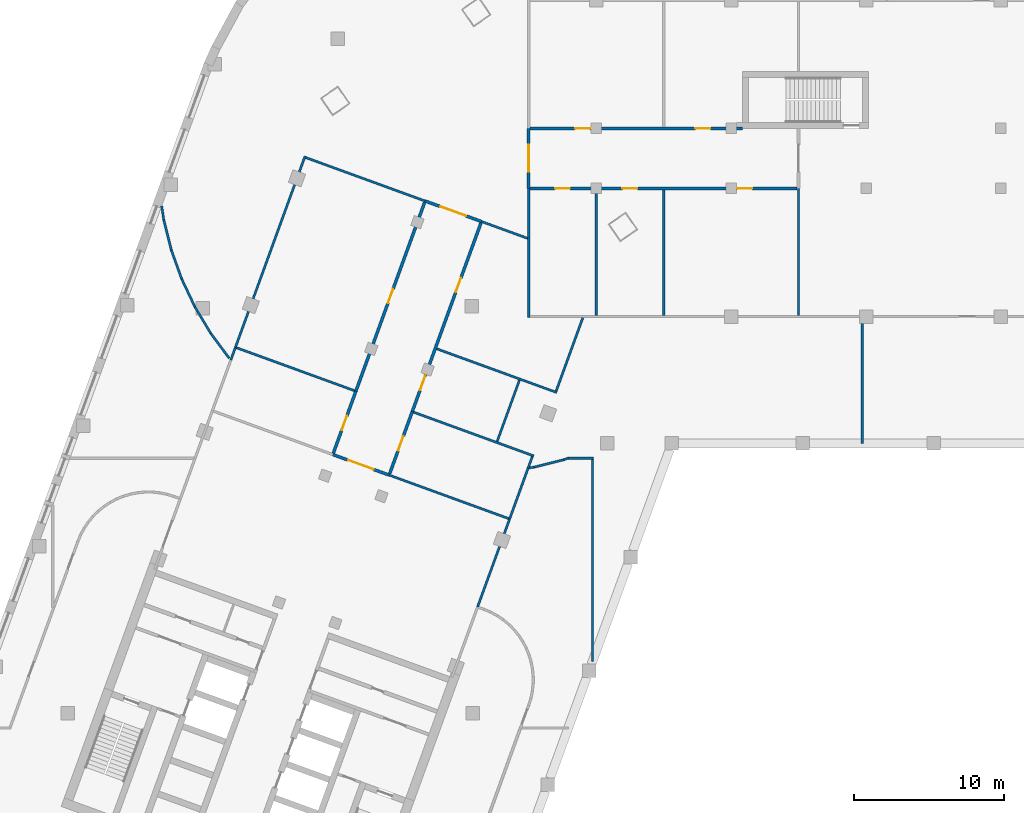
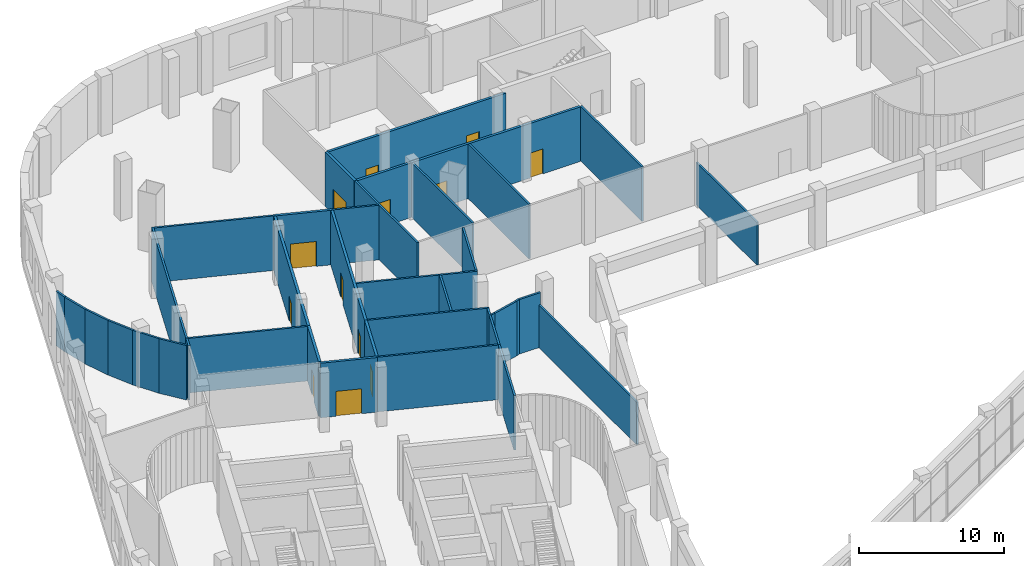
# One storey, part 13 of 25: 38 walls, 13 doors, 13 openings.
"""IFC4 building model written with IfcOpenShell, lengths in metres."""

from ifc_helpers import new_model, si_unit, direction, frame, frame_2d, origin, place, context, subcontext, project, spatial, rectangle, extrude, material, layer, layer_set, type_object, element, fill, save


model = new_model("IFC4")

# Units and contexts
model_context = context("Model", 3, precision=1e-05, world=origin(), true_north=direction((0.0, 1.0)))
body_context = subcontext(model_context, "Body", "Model", "MODEL_VIEW")
ifc_project = project(units=[si_unit("LENGTHUNIT", "METRE"), si_unit("AREAUNIT", "SQUARE_METRE"), si_unit("VOLUMEUNIT", "CUBIC_METRE"), si_unit("PLANEANGLEUNIT", "RADIAN"), si_unit("MASSUNIT", "GRAM", prefix="KILO")], contexts=[model_context])

# Site, building, storey
site_placement = place(None, origin())
site = spatial("IfcSite", under=ifc_project, at=site_placement, CompositionType="ELEMENT")
building_placement = place(site_placement, origin())
building = spatial("IfcBuilding", under=site, at=building_placement, Name="Skarvind Civic Tower", CompositionType="ELEMENT")
storey_placement = place(building_placement, frame((0.0, 0.0, 7.5)))
storey = spatial("IfcBuildingStorey", under=building, at=storey_placement, Name="L01", CompositionType="ELEMENT", Elevation=7.5)

# Wall, opening, door
ifc_material_1 = material(Name="Fire-rated blockwork wall, plastered", Category="masonry")
ifc_layer_1 = layer(ifc_material_1, 0.199951171875)
ifc_layer_set_1 = layer_set([ifc_layer_1], Name="FIRE WALL 200 EI 60")
wall_type_1 = type_object("IfcWallType", Name="FIRE WALL 200 EI 60", PredefinedType="PARTITIONING", material=ifc_layer_set_1)
wall_1_placement = place(storey_placement, frame((36.716064453125, 108.340087890625, 0.0), z_axis=(0.0, 0.0, 1.0), x_axis=(0.342063854115, 0.939676710208, 0.0)))
wall_1 = element("IfcWall", 1, at=wall_1_placement, inside=storey, type_object=wall_type_1, Name="Podium partition L01 042", PredefinedType="PARTITIONING", context=body_context, shape_type="SweptSolid", body=[
    extrude(rectangle(XDim=4.3994140625, YDim=0.199951171875, at=frame_2d((2.19970703125, 0.0))), origin(), (0.0, 0.0, 1.0), 4.60009765625),
])
opening_1_placement = place(wall_1_placement, frame((1.652099609375, 0.0, 0.0)))
opening_1 = element("IfcOpeningElement", 2, at=opening_1_placement, cuts=wall_1, Name="Opening L01-D205", PredefinedType="OPENING", context=body_context, shape_type="SweptSolid", body=[
    extrude(rectangle(XDim=1.0, YDim=2.10009765625, at=frame_2d((0.5, 1.050048828125))), frame((0.0, 0.10986328125, 0.0), z_axis=(0.0, -1.0, 0.0), x_axis=(1.0, 0.0, 0.0)), (0.0, 0.0, 1.0), 0.219970703125),
])
ifc_material_2 = material(Name="Painted steel fire door leaf", Category="steel")
door_type_1 = type_object("IfcDoorType", Name="FIRE DOOR 1000X2100 STEEL", OperationType="NOTDEFINED", PredefinedType="DOOR", material=ifc_material_2)
door_1_placement = place(opening_1_placement, origin())
door_1 = element("IfcDoor", 3, at=door_1_placement, inside=storey, type_object=door_type_1, Name="FIRE DOOR", OperationType="SINGLE_SWING_LEFT", OverallHeight=2.10009765625, OverallWidth=1.0, PredefinedType="DOOR", context=body_context, shape_type="SweptSolid", body=[
    extrude(rectangle(XDim=1.0, YDim=2.10009765625, at=frame_2d((0.5, 1.050048828125))), frame((0.0, 0.02490234375, 0.0), z_axis=(0.0, -1.0, 0.0), x_axis=(1.0, 0.0, 0.0)), (0.0, 0.0, 1.0), 0.050048828125),
])
fill(opening_1, door_1)

wall_2_placement = place(storey_placement, frame((40.43994140625, 106.8779296875, 0.0), z_axis=(0.0, 0.0, 1.0), x_axis=(-0.939665029144, 0.342095941228, 0.0)))
wall_2 = element("IfcWall", 4, at=wall_2_placement, inside=storey, type_object=wall_type_1, Name="Podium partition L01 043", PredefinedType="PARTITIONING", context=body_context, shape_type="SweptSolid", body=[
    extrude(rectangle(XDim=3.999267578125, YDim=0.199951171875, at=frame_2d((1.99951171875, 0.0))), origin(), (0.0, 0.0, 1.0), 4.60009765625),
])
opening_2_placement = place(wall_2_placement, frame((1.09912109375, 0.0, 0.0)))
opening_2 = element("IfcOpeningElement", 5, at=opening_2_placement, cuts=wall_2, Name="Opening L01-D206", PredefinedType="OPENING", context=body_context, shape_type="SweptSolid", body=[
    extrude(rectangle(XDim=1.800048828125, YDim=2.10009765625, at=frame_2d((0.89990234375, 1.050048828125))), frame((0.0, 0.10986328125, 0.0), z_axis=(0.0, -1.0, 0.0), x_axis=(1.0, 0.0, 0.0)), (0.0, 0.0, 1.0), 0.219970703125),
])
door_type_2 = type_object("IfcDoorType", Name="FIRE DOOR 1800X2100 DOUBLE STEEL", OperationType="NOTDEFINED", PredefinedType="DOOR", material=ifc_material_2)
door_2_placement = place(opening_2_placement, origin())
door_2 = element("IfcDoor", 6, at=door_2_placement, inside=storey, type_object=door_type_2, Name="FIRE DOOR", OperationType="DOUBLE_DOOR_SINGLE_SWING", OverallHeight=2.10009765625, OverallWidth=1.800048828125, PredefinedType="DOOR", context=body_context, shape_type="SweptSolid", body=[
    extrude(rectangle(XDim=1.800048828125, YDim=2.10009765625, at=frame_2d((0.89990234375, 1.050048828125))), frame((0.0, 0.02490234375, 0.0), z_axis=(0.0, -1.0, 0.0), x_axis=(1.0, 0.0, 0.0)), (0.0, 0.0, 1.0), 0.050048828125),
])
fill(opening_2, door_2)

wall_3_placement = place(storey_placement, frame((38.220947265625, 112.47412109375, 0.0), z_axis=(0.0, 0.0, 1.0), x_axis=(0.342018071111, 0.939693375008, 0.0)))
wall_3 = element("IfcWall", 7, at=wall_3_placement, inside=storey, type_object=wall_type_1, Name="Podium partition L01 046", PredefinedType="PARTITIONING", context=body_context, shape_type="SweptSolid", body=[
    extrude(rectangle(XDim=13.39990234375, YDim=0.199951171875, at=frame_2d((6.699951171875, 0.0))), origin(), (0.0, 0.0, 1.0), 4.60009765625),
])
opening_3_placement = place(wall_3_placement, frame((6.248046875, 0.0, 0.0)))
opening_3 = element("IfcOpeningElement", 8, at=opening_3_placement, cuts=wall_3, Name="Opening L01-D207", PredefinedType="OPENING", context=body_context, shape_type="SweptSolid", body=[
    extrude(rectangle(XDim=1.0, YDim=2.10009765625, at=frame_2d((0.5, 1.050048828125))), frame((0.0, 0.10986328125, 0.0), z_axis=(0.0, -1.0, 0.0), x_axis=(1.0, 0.0, 0.0)), (0.0, 0.0, 1.0), 0.219970703125),
])
door_3_placement = place(opening_3_placement, origin())
door_3 = element("IfcDoor", 9, at=door_3_placement, inside=storey, type_object=door_type_1, Name="FIRE DOOR", OperationType="SINGLE_SWING_RIGHT", OverallHeight=2.10009765625, OverallWidth=1.0, PredefinedType="DOOR", context=body_context, shape_type="SweptSolid", body=[
    extrude(rectangle(XDim=1.0, YDim=2.10009765625, at=frame_2d((0.5, 1.050048828125))), frame((0.0, 0.02490234375, 0.0), z_axis=(0.0, -1.0, 0.0), x_axis=(1.0, 0.0, 0.0)), (0.0, 0.0, 1.0), 0.050048828125),
])
fill(opening_3, door_3)

wall_4_placement = place(storey_placement, frame((41.97998046875, 111.10595703125, 0.0), z_axis=(0.0, 0.0, 1.0), x_axis=(-0.342259834227, -0.93960534581, 0.0)))
wall_4 = element("IfcWall", 10, at=wall_4_placement, inside=storey, type_object=wall_type_1, Name="Podium partition L01 052", PredefinedType="PARTITIONING", context=body_context, shape_type="SweptSolid", body=[
    extrude(rectangle(XDim=4.399658203125, YDim=0.199951171875, at=frame_2d((2.19970703125, 0.0))), origin(), (0.0, 0.0, 1.0), 4.60009765625),
])
opening_4_placement = place(wall_4_placement, frame((1.748046875, 0.0, 0.0)))
opening_4 = element("IfcOpeningElement", 11, at=opening_4_placement, cuts=wall_4, Name="Opening L01-D208", PredefinedType="OPENING", context=body_context, shape_type="SweptSolid", body=[
    extrude(rectangle(XDim=1.0, YDim=2.10009765625, at=frame_2d((0.5, 1.050048828125))), frame((0.0, 0.10986328125, 0.0), z_axis=(0.0, -1.0, 0.0), x_axis=(1.0, 0.0, 0.0)), (0.0, 0.0, 1.0), 0.219970703125),
])
door_4_placement = place(opening_4_placement, origin())
door_4 = element("IfcDoor", 12, at=door_4_placement, inside=storey, type_object=door_type_1, Name="FIRE DOOR", OperationType="SINGLE_SWING_RIGHT", OverallHeight=2.10009765625, OverallWidth=1.0, PredefinedType="DOOR", context=body_context, shape_type="SweptSolid", body=[
    extrude(rectangle(XDim=1.0, YDim=2.10009765625, at=frame_2d((0.5, 1.050048828125))), frame((0.0, 0.02490234375, 0.0), z_axis=(0.0, -1.0, 0.0), x_axis=(1.0, 0.0, 0.0)), (0.0, 0.0, 1.0), 0.050048828125),
])
fill(opening_4, door_4)

# Wall, openings, doors
wall_5_placement = place(storey_placement, frame((46.56298828125, 123.697998046875, 0.0), z_axis=(0.0, 0.0, 1.0), x_axis=(-0.342012215574, -0.939695506214, 0.0)))
wall_5 = element("IfcWall", 13, at=wall_5_placement, inside=storey, type_object=wall_type_1, Name="Podium partition L01 057", PredefinedType="PARTITIONING", context=body_context, shape_type="SweptSolid", body=[
    extrude(rectangle(XDim=13.400146484375, YDim=0.199951171875, at=frame_2d((6.7001953125, 0.0))), origin(), (0.0, 0.0, 1.0), 4.60009765625),
])
opening_5_placement = place(wall_5_placement, frame((10.85009765625, 0.0, 0.0)))
opening_5 = element("IfcOpeningElement", 14, at=opening_5_placement, cuts=wall_5, Name="Opening L01-D209", PredefinedType="OPENING", context=body_context, shape_type="SweptSolid", body=[
    extrude(rectangle(XDim=1.0, YDim=2.10009765625, at=frame_2d((0.5, 1.050048828125))), frame((0.0, 0.10986328125, 0.0), z_axis=(0.0, -1.0, 0.0), x_axis=(1.0, 0.0, 0.0)), (0.0, 0.0, 1.0), 0.219970703125),
])
opening_6_placement = place(wall_5_placement, frame((3.902099609375, 0.0, 0.0)))
opening_6 = element("IfcOpeningElement", 15, at=opening_6_placement, cuts=wall_5, Name="Opening L01-D211", PredefinedType="OPENING", context=body_context, shape_type="SweptSolid", body=[
    extrude(rectangle(XDim=1.0, YDim=2.10009765625, at=frame_2d((0.5, 1.050048828125))), frame((0.0, 0.10986328125, 0.0), z_axis=(0.0, -1.0, 0.0), x_axis=(1.0, 0.0, 0.0)), (0.0, 0.0, 1.0), 0.219970703125),
])
door_5_placement = place(opening_5_placement, origin())
door_5 = element("IfcDoor", 16, at=door_5_placement, inside=storey, type_object=door_type_1, Name="FIRE DOOR", OperationType="SINGLE_SWING_RIGHT", OverallHeight=2.10009765625, OverallWidth=1.0, PredefinedType="DOOR", context=body_context, shape_type="SweptSolid", body=[
    extrude(rectangle(XDim=1.0, YDim=2.10009765625, at=frame_2d((0.5, 1.050048828125))), frame((0.0, 0.02490234375, 0.0), z_axis=(0.0, -1.0, 0.0), x_axis=(1.0, 0.0, 0.0)), (0.0, 0.0, 1.0), 0.050048828125),
])
fill(opening_5, door_5)
door_6_placement = place(opening_6_placement, origin())
door_6 = element("IfcDoor", 17, at=door_6_placement, inside=storey, type_object=door_type_1, Name="FIRE DOOR", OperationType="SINGLE_SWING_RIGHT", OverallHeight=2.10009765625, OverallWidth=1.0, PredefinedType="DOOR", context=body_context, shape_type="SweptSolid", body=[
    extrude(rectangle(XDim=1.0, YDim=2.10009765625, at=frame_2d((0.5, 1.050048828125))), frame((0.0, 0.02490234375, 0.0), z_axis=(0.0, -1.0, 0.0), x_axis=(1.0, 0.0, 0.0)), (0.0, 0.0, 1.0), 0.050048828125),
])
fill(opening_6, door_6)

# Wall, opening, door
wall_6_placement = place(storey_placement, frame((42.837890625, 125.159912109375, 0.0), z_axis=(0.0, 0.0, 1.0), x_axis=(0.939713209288, -0.341963571582, 0.0)))
wall_6 = element("IfcWall", 18, at=wall_6_placement, inside=storey, type_object=wall_type_1, Name="Podium partition L01 061", PredefinedType="PARTITIONING", context=body_context, shape_type="SweptSolid", body=[
    extrude(rectangle(XDim=4.000244140625, YDim=0.199951171875, at=frame_2d((2.0, 0.0))), origin(), (0.0, 0.0, 1.0), 4.60009765625),
])
opening_7_placement = place(wall_6_placement, frame((1.10009765625, 0.0, 0.0)))
opening_7 = element("IfcOpeningElement", 19, at=opening_7_placement, cuts=wall_6, Name="Opening L01-D210", PredefinedType="OPENING", context=body_context, shape_type="SweptSolid", body=[
    extrude(rectangle(XDim=1.800048828125, YDim=2.10009765625, at=frame_2d((0.89990234375, 1.050048828125))), frame((0.0, 0.10986328125, 0.0), z_axis=(0.0, -1.0, 0.0), x_axis=(1.0, 0.0, 0.0)), (0.0, 0.0, 1.0), 0.219970703125),
])
door_7_placement = place(opening_7_placement, origin())
door_7 = element("IfcDoor", 20, at=door_7_placement, inside=storey, type_object=door_type_2, Name="FIRE DOOR", OperationType="DOUBLE_DOOR_SINGLE_SWING", OverallHeight=2.10009765625, OverallWidth=1.800048828125, PredefinedType="DOOR", context=body_context, shape_type="SweptSolid", body=[
    extrude(rectangle(XDim=1.800048828125, YDim=2.10009765625, at=frame_2d((0.89990234375, 1.050048828125))), frame((0.0, 0.02490234375, 0.0), z_axis=(0.0, -1.0, 0.0), x_axis=(1.0, 0.0, 0.0)), (0.0, 0.0, 1.0), 0.050048828125),
])
fill(opening_7, door_7)

wall_7_placement = place(storey_placement, frame((49.75, 126.0, 0.0), z_axis=(0.0, 0.0, 1.0), x_axis=(0.0, 1.0, 0.0)))
wall_7 = element("IfcWall", 21, at=wall_7_placement, inside=storey, type_object=wall_type_1, Name="Podium partition L01 090", PredefinedType="PARTITIONING", context=body_context, shape_type="SweptSolid", body=[
    extrude(rectangle(XDim=4.0, YDim=0.199951171875, at=frame_2d((2.0, 0.0))), origin(), (0.0, 0.0, 1.0), 4.60009765625),
])
opening_8_placement = place(wall_7_placement, frame((1.10009765625, 0.0, 0.0)))
opening_8 = element("IfcOpeningElement", 22, at=opening_8_placement, cuts=wall_7, Name="Opening L01-D214", PredefinedType="OPENING", context=body_context, shape_type="SweptSolid", body=[
    extrude(rectangle(XDim=1.800048828125, YDim=2.10009765625, at=frame_2d((0.89990234375, 1.050048828125))), frame((0.0, 0.10986328125, 0.0), z_axis=(0.0, -1.0, 0.0), x_axis=(1.0, 0.0, 0.0)), (0.0, 0.0, 1.0), 0.219970703125),
])
door_8_placement = place(opening_8_placement, origin())
door_8 = element("IfcDoor", 23, at=door_8_placement, inside=storey, type_object=door_type_2, Name="FIRE DOOR", OperationType="DOUBLE_DOOR_SINGLE_SWING", OverallHeight=2.10009765625, OverallWidth=1.800048828125, PredefinedType="DOOR", context=body_context, shape_type="SweptSolid", body=[
    extrude(rectangle(XDim=1.800048828125, YDim=2.10009765625, at=frame_2d((0.89990234375, 1.050048828125))), frame((0.0, 0.02490234375, 0.0), z_axis=(0.0, -1.0, 0.0), x_axis=(1.0, 0.0, 0.0)), (0.0, 0.0, 1.0), 0.050048828125),
])
fill(opening_8, door_8)

# Wall, openings, doors
wall_8_placement = place(storey_placement, frame((67.64990234375, 126.0, 0.0), z_axis=(0.0, 0.0, 1.0), x_axis=(-1.0, 0.0, 0.0)))
wall_8 = element("IfcWall", 24, at=wall_8_placement, inside=storey, type_object=wall_type_1, Name="Podium partition L01 091", PredefinedType="PARTITIONING", context=body_context, shape_type="SweptSolid", body=[
    extrude(rectangle(XDim=17.7998046875, YDim=0.199951171875, at=frame_2d((8.89990234375, 0.0))), origin(), (0.0, 0.0, 1.0), 4.60009765625),
])
opening_9_placement = place(wall_8_placement, frame((15.14794921875, 0.0, 0.0)))
opening_9 = element("IfcOpeningElement", 25, at=opening_9_placement, cuts=wall_8, Name="Opening L01-D215", PredefinedType="OPENING", context=body_context, shape_type="SweptSolid", body=[
    extrude(rectangle(XDim=1.0, YDim=2.10009765625, at=frame_2d((0.5, 1.050048828125))), frame((0.0, 0.10986328125, 0.0), z_axis=(0.0, -1.0, 0.0), x_axis=(1.0, 0.0, 0.0)), (0.0, 0.0, 1.0), 0.219970703125),
])
opening_10_placement = place(wall_8_placement, frame((10.64990234375, 0.0, 0.0)))
opening_10 = element("IfcOpeningElement", 26, at=opening_10_placement, cuts=wall_8, Name="Opening L01-D217", PredefinedType="OPENING", context=body_context, shape_type="SweptSolid", body=[
    extrude(rectangle(XDim=1.0, YDim=2.10009765625, at=frame_2d((0.5, 1.050048828125))), frame((0.0, 0.10986328125, 0.0), z_axis=(0.0, -1.0, 0.0), x_axis=(1.0, 0.0, 0.0)), (0.0, 0.0, 1.0), 0.219970703125),
])
opening_11_placement = place(wall_8_placement, frame((3.001953125, 0.0, 0.0)))
opening_11 = element("IfcOpeningElement", 27, at=opening_11_placement, cuts=wall_8, Name="Opening L01-D219", PredefinedType="OPENING", context=body_context, shape_type="SweptSolid", body=[
    extrude(rectangle(XDim=1.0, YDim=2.10009765625, at=frame_2d((0.5, 1.050048828125))), frame((0.0, 0.10986328125, 0.0), z_axis=(0.0, -1.0, 0.0), x_axis=(1.0, 0.0, 0.0)), (0.0, 0.0, 1.0), 0.219970703125),
])
door_9_placement = place(opening_9_placement, origin())
door_9 = element("IfcDoor", 28, at=door_9_placement, inside=storey, type_object=door_type_1, Name="FIRE DOOR", OperationType="SINGLE_SWING_LEFT", OverallHeight=2.10009765625, OverallWidth=1.0, PredefinedType="DOOR", context=body_context, shape_type="SweptSolid", body=[
    extrude(rectangle(XDim=1.0, YDim=2.10009765625, at=frame_2d((0.5, 1.050048828125))), frame((0.0, 0.02490234375, 0.0), z_axis=(0.0, -1.0, 0.0), x_axis=(1.0, 0.0, 0.0)), (0.0, 0.0, 1.0), 0.050048828125),
])
fill(opening_9, door_9)
door_10_placement = place(opening_10_placement, origin())
door_10 = element("IfcDoor", 29, at=door_10_placement, inside=storey, type_object=door_type_1, Name="FIRE DOOR", OperationType="SINGLE_SWING_RIGHT", OverallHeight=2.10009765625, OverallWidth=1.0, PredefinedType="DOOR", context=body_context, shape_type="SweptSolid", body=[
    extrude(rectangle(XDim=1.0, YDim=2.10009765625, at=frame_2d((0.5, 1.050048828125))), frame((0.0, 0.02490234375, 0.0), z_axis=(0.0, -1.0, 0.0), x_axis=(1.0, 0.0, 0.0)), (0.0, 0.0, 1.0), 0.050048828125),
])
fill(opening_10, door_10)
door_11_placement = place(opening_11_placement, origin())
door_11 = element("IfcDoor", 30, at=door_11_placement, inside=storey, type_object=door_type_1, Name="FIRE DOOR", OperationType="SINGLE_SWING_LEFT", OverallHeight=2.10009765625, OverallWidth=1.0, PredefinedType="DOOR", context=body_context, shape_type="SweptSolid", body=[
    extrude(rectangle(XDim=1.0, YDim=2.10009765625, at=frame_2d((0.5, 1.050048828125))), frame((0.0, 0.02490234375, 0.0), z_axis=(0.0, -1.0, 0.0), x_axis=(1.0, 0.0, 0.0)), (0.0, 0.0, 1.0), 0.050048828125),
])
fill(opening_11, door_11)

wall_9_placement = place(storey_placement, frame((49.85009765625, 130.0, 0.0), z_axis=(0.0, 0.0, 1.0), x_axis=(1.0, 0.0, 0.0)))
wall_9 = element("IfcWall", 31, at=wall_9_placement, inside=storey, type_object=wall_type_1, Name="Podium partition L01 093", PredefinedType="PARTITIONING", context=body_context, shape_type="SweptSolid", body=[
    extrude(rectangle(XDim=14.14990234375, YDim=0.199951171875, at=frame_2d((7.074951171875, 0.0))), origin(), (0.0, 0.0, 1.0), 4.60009765625),
])
opening_12_placement = place(wall_9_placement, frame((3.001953125, 0.0, 0.0)))
opening_12 = element("IfcOpeningElement", 32, at=opening_12_placement, cuts=wall_9, Name="Opening L01-D216", PredefinedType="OPENING", context=body_context, shape_type="SweptSolid", body=[
    extrude(rectangle(XDim=1.0, YDim=2.10009765625, at=frame_2d((0.5, 1.050048828125))), frame((0.0, 0.10986328125, 0.0), z_axis=(0.0, -1.0, 0.0), x_axis=(1.0, 0.0, 0.0)), (0.0, 0.0, 1.0), 0.219970703125),
])
opening_13_placement = place(wall_9_placement, frame((11.02294921875, 0.0, 0.0)))
opening_13 = element("IfcOpeningElement", 33, at=opening_13_placement, cuts=wall_9, Name="Opening L01-D218", PredefinedType="OPENING", context=body_context, shape_type="SweptSolid", body=[
    extrude(rectangle(XDim=1.0, YDim=2.10009765625, at=frame_2d((0.5, 1.050048828125))), frame((0.0, 0.10986328125, 0.0), z_axis=(0.0, -1.0, 0.0), x_axis=(1.0, 0.0, 0.0)), (0.0, 0.0, 1.0), 0.219970703125),
])
door_12_placement = place(opening_12_placement, origin())
door_12 = element("IfcDoor", 34, at=door_12_placement, inside=storey, type_object=door_type_1, Name="FIRE DOOR", OperationType="SINGLE_SWING_LEFT", OverallHeight=2.10009765625, OverallWidth=1.0, PredefinedType="DOOR", context=body_context, shape_type="SweptSolid", body=[
    extrude(rectangle(XDim=1.0, YDim=2.10009765625, at=frame_2d((0.5, 1.050048828125))), frame((0.0, 0.02490234375, 0.0), z_axis=(0.0, -1.0, 0.0), x_axis=(1.0, 0.0, 0.0)), (0.0, 0.0, 1.0), 0.050048828125),
])
fill(opening_12, door_12)
door_13_placement = place(opening_13_placement, origin())
door_13 = element("IfcDoor", 35, at=door_13_placement, inside=storey, type_object=door_type_1, Name="FIRE DOOR", OperationType="SINGLE_SWING_LEFT", OverallHeight=2.10009765625, OverallWidth=1.0, PredefinedType="DOOR", context=body_context, shape_type="SweptSolid", body=[
    extrude(rectangle(XDim=1.0, YDim=2.10009765625, at=frame_2d((0.5, 1.050048828125))), frame((0.0, 0.02490234375, 0.0), z_axis=(0.0, -1.0, 0.0), x_axis=(1.0, 0.0, 0.0)), (0.0, 0.0, 1.0), 0.050048828125),
])
fill(opening_13, door_13)

# Walls
ifc_material_3 = material(Name="Plasterboard partition on steel studs", Category="steel")
ifc_layer_2 = layer(ifc_material_3, 0.14990234375)
ifc_layer_set_2 = layer_set([ifc_layer_2], Name="PARTITION 150")
wall_type_2 = type_object("IfcWallType", Name="PARTITION 150", PredefinedType="PARTITIONING", material=ifc_layer_set_2)
wall_10_placement = place(storey_placement, frame((25.26611328125, 124.8310546875, 0.0), z_axis=(0.0, 0.0, 1.0), x_axis=(0.147402970256, -0.989076520983, 0.0)))
element("IfcWall", 36, at=wall_10_placement, inside=storey, type_object=wall_type_2, Name="Podium partition L01 023", PredefinedType="PARTITIONING", context=body_context, shape_type="SweptSolid", body=[
    extrude(rectangle(XDim=0.9423828125, YDim=0.14990234375, at=frame_2d((0.47119140625, 0.0))), origin(), (0.0, 0.0, 1.0), 4.60009765625),
])
wall_11_placement = place(storey_placement, frame((25.403076171875, 123.906982421875, 0.0), z_axis=(0.0, 0.0, 1.0), x_axis=(0.24261892201, -0.970121672102, 0.0)))
element("IfcWall", 37, at=wall_11_placement, inside=storey, type_object=wall_type_2, Name="Podium partition L01 024", PredefinedType="PARTITIONING", context=body_context, shape_type="SweptSolid", body=[
    extrude(rectangle(XDim=2.06884765625, YDim=0.14990234375, at=frame_2d((1.034423828125, 0.0))), origin(), (0.0, 0.0, 1.0), 4.60009765625),
])
wall_12_placement = place(storey_placement, frame((25.903076171875, 121.906982421875, 0.0), z_axis=(0.0, 0.0, 1.0), x_axis=(0.337196677173, -0.941434225479, 0.0)))
element("IfcWall", 38, at=wall_12_placement, inside=storey, type_object=wall_type_2, Name="Podium partition L01 026", PredefinedType="PARTITIONING", context=body_context, shape_type="SweptSolid", body=[
    extrude(rectangle(XDim=2.067138671875, YDim=0.14990234375, at=frame_2d((1.03369140625, 0.0))), origin(), (0.0, 0.0, 1.0), 4.60009765625),
])
for number, where, z_axis, x_axis, name in (
    (39, (26.596923828125, 119.967041015625, 0.0), (0.0, 0.0, 1.0), (0.42793917446, -0.90380753646, 0.0), "Podium partition L01 029"),
    (40, (27.47802734375, 118.10400390625, 0.0), (0.0, 0.0, 1.0), (0.514009565734, -0.857784452141, 0.0), "Podium partition L01 030"),
):
    element("IfcWall", number, at=place(storey_placement, frame(where, z_axis=z_axis, x_axis=x_axis)), inside=storey, type_object=wall_type_2, Name=name, PredefinedType="PARTITIONING", context=body_context, shape_type="SweptSolid", body=[
        extrude(rectangle(XDim=2.068115234375, YDim=0.14990234375, at=frame_2d((1.0341796875, 0.0))), origin(), (0.0, 0.0, 1.0), 4.60009765625),
    ])
wall_13_placement = place(storey_placement, frame((28.537109375, 116.3359375, 0.0), z_axis=(0.0, 0.0, 1.0), x_axis=(0.595741297031, -0.80317638599, 0.0)))
element("IfcWall", 41, at=wall_13_placement, inside=storey, type_object=wall_type_2, Name="Podium partition L01 032", PredefinedType="PARTITIONING", context=body_context, shape_type="SweptSolid", body=[
    extrude(rectangle(XDim=2.06787109375, YDim=0.14990234375, at=frame_2d((1.033935546875, 0.0))), origin(), (0.0, 0.0, 1.0), 4.60009765625),
])
wall_14_placement = place(storey_placement, frame((29.87890625, 114.554931640625, 0.0), z_axis=(0.0, 0.0, 1.0), x_axis=(0.341961311006, 0.939714031914, 0.0)))
element("IfcWall", 42, at=wall_14_placement, inside=storey, type_object=wall_type_2, Name="Podium partition L01 036", PredefinedType="PARTITIONING", context=body_context, shape_type="SweptSolid", body=[
    extrude(rectangle(XDim=0.898193359375, YDim=0.14990234375, at=frame_2d((0.44921875, 0.0))), origin(), (0.0, 0.0, 1.0), 4.60009765625),
])
wall_15_placement = place(storey_placement, frame((30.18603515625, 115.39892578125, 0.0), z_axis=(0.0, 0.0, 1.0), x_axis=(0.342121388632, 0.939655764331, 0.0)))
element("IfcWall", 43, at=wall_15_placement, inside=storey, type_object=wall_type_2, Name="Podium partition L01 037", PredefinedType="PARTITIONING", context=body_context, shape_type="SweptSolid", body=[
    extrude(rectangle(XDim=13.57421875, YDim=0.14990234375, at=frame_2d((6.787109375, 0.0))), origin(), (0.0, 0.0, 1.0), 4.60009765625),
])
wall_16_placement = place(storey_placement, frame((30.256103515625, 115.373046875, 0.0), z_axis=(0.0, 0.0, 1.0), x_axis=(0.939683593483, -0.342044944618, 0.0)))
element("IfcWall", 44, at=wall_16_placement, inside=storey, type_object=wall_type_2, Name="Podium partition L01 038", PredefinedType="PARTITIONING", context=body_context, shape_type="SweptSolid", body=[
    extrude(rectangle(XDim=8.3759765625, YDim=0.14990234375, at=frame_2d((4.18798828125, 0.0))), origin(), (0.0, 0.0, 1.0), 4.60009765625),
])
wall_17_placement = place(storey_placement, frame((34.8740234375, 128.05810546875, 0.0), z_axis=(0.0, 0.0, 1.0), x_axis=(0.939708443164, -0.341976668571, 0.0)))
element("IfcWall", 45, at=wall_17_placement, inside=storey, type_object=wall_type_2, Name="Podium partition L01 040", PredefinedType="PARTITIONING", context=body_context, shape_type="SweptSolid", body=[
    extrude(rectangle(XDim=8.474853515625, YDim=0.14990234375, at=frame_2d((4.2373046875, 0.0))), origin(), (0.0, 0.0, 1.0), 4.60009765625),
])
wall_18_placement = place(storey_placement, frame((40.43994140625, 106.8779296875, 0.0), z_axis=(0.0, 0.0, 1.0), x_axis=(0.939697516706, -0.342006691597, 0.0)))
element("IfcWall", 46, at=wall_18_placement, inside=storey, type_object=wall_type_2, Name="Podium partition L01 053", PredefinedType="PARTITIONING", context=body_context, shape_type="SweptSolid", body=[
    extrude(rectangle(XDim=8.476318359375, YDim=0.14990234375, at=frame_2d((4.23828125, 0.0))), origin(), (0.0, 0.0, 1.0), 4.60009765625),
])
for number, where, z_axis, x_axis, name in (
    (47, (42.073974609375, 111.072021484375, 0.0), (0.0, 0.0, 1.0), (0.939669601, -0.342083383046, 0.0), "Podium partition L01 058"),
    (48, (43.613037109375, 115.301025390625, 0.0), (0.0, 0.0, 1.0), (0.939669601, -0.342083383046, 0.0), "Podium partition L01 065"),
):
    element("IfcWall", number, at=place(storey_placement, frame(where, z_axis=z_axis, x_axis=x_axis)), inside=storey, type_object=wall_type_2, Name=name, PredefinedType="PARTITIONING", context=body_context, shape_type="SweptSolid", body=[
        extrude(rectangle(XDim=8.524169921875, YDim=0.14990234375, at=frame_2d((4.26220703125, 0.0))), origin(), (0.0, 0.0, 1.0), 4.60009765625),
    ])
wall_19_placement = place(storey_placement, frame((46.3369140625, 98.080078125, 0.0), z_axis=(0.0, 0.0, 1.0), x_axis=(0.342113136459, 0.939658768842, 0.0)))
element("IfcWall", 49, at=wall_19_placement, inside=storey, type_object=wall_type_2, Name="Podium partition L01 070", PredefinedType="PARTITIONING", context=body_context, shape_type="SweptSolid", body=[
    extrude(rectangle(XDim=6.25, YDim=0.14990234375, at=frame_2d((3.125, 0.0))), origin(), (0.0, 0.0, 1.0), 4.60009765625),
])
wall_20_placement = place(storey_placement, frame((46.596923828125, 123.7919921875, 0.0), z_axis=(0.0, 0.0, 1.0), x_axis=(0.939619227089, -0.342221723572, 0.0)))
element("IfcWall", 50, at=wall_20_placement, inside=storey, type_object=wall_type_2, Name="Podium partition L01 071", PredefinedType="PARTITIONING", context=body_context, shape_type="SweptSolid", body=[
    extrude(rectangle(XDim=3.27587890625, YDim=0.14990234375, at=frame_2d((1.637939453125, 0.0))), origin(), (0.0, 0.0, 1.0), 4.60009765625),
])
wall_21_placement = place(storey_placement, frame((47.64404296875, 109.1240234375, 0.0), z_axis=(0.0, 0.0, 1.0), x_axis=(0.341783611499, 0.939778677621, 0.0)))
element("IfcWall", 51, at=wall_21_placement, inside=storey, type_object=wall_type_2, Name="Podium partition L01 074", PredefinedType="PARTITIONING", context=body_context, shape_type="SweptSolid", body=[
    extrude(rectangle(XDim=4.350830078125, YDim=0.14990234375, at=frame_2d((2.17529296875, 0.0))), origin(), (0.0, 0.0, 1.0), 4.60009765625),
])
wall_22_placement = place(storey_placement, frame((48.47509765625, 103.952880859375, 0.0), z_axis=(0.0, 0.0, 1.0), x_axis=(0.341992779494, 0.939702579955, 0.0)))
element("IfcWall", 52, at=wall_22_placement, inside=storey, type_object=wall_type_2, Name="Podium partition L01 078", PredefinedType="PARTITIONING", context=body_context, shape_type="SweptSolid", body=[
    extrude(rectangle(XDim=3.61083984375, YDim=0.14990234375, at=frame_2d((1.805419921875, 0.0))), origin(), (0.0, 0.0, 1.0), 4.60009765625),
])
wall_23_placement = place(storey_placement, frame((49.7099609375, 107.345947265625, 0.0), z_axis=(0.0, 0.0, 1.0), x_axis=(0.341189816469, 0.939994419737, 0.0)))
element("IfcWall", 53, at=wall_23_placement, inside=storey, type_object=wall_type_2, Name="Podium partition L01 085", PredefinedType="PARTITIONING", context=body_context, shape_type="SweptSolid", body=[
    extrude(rectangle(XDim=0.81494140625, YDim=0.14990234375, at=frame_2d((0.407470703125, 0.0))), origin(), (0.0, 0.0, 1.0), 4.60009765625),
])
wall_24_placement = place(storey_placement, frame((49.7939453125, 107.35888671875, 0.0), z_axis=(0.0, 0.0, 1.0), x_axis=(0.988901730308, 0.148571086668, 0.0)))
element("IfcWall", 54, at=wall_24_placement, inside=storey, type_object=wall_type_2, Name="Podium partition L01 086", PredefinedType="PARTITIONING", context=body_context, shape_type="SweptSolid", body=[
    extrude(rectangle(XDim=0.310546875, YDim=0.14990234375, at=frame_2d((0.1552734375, 0.0))), origin(), (0.0, 0.0, 1.0), 4.60009765625),
])
wall_25_placement = place(storey_placement, frame((49.75, 117.375, 0.0), z_axis=(0.0, 0.0, 1.0), x_axis=(0.0, 1.0, 0.0)))
element("IfcWall", 55, at=wall_25_placement, inside=storey, type_object=wall_type_2, Name="Podium partition L01 088", PredefinedType="PARTITIONING", context=body_context, shape_type="SweptSolid", body=[
    extrude(rectangle(XDim=8.625, YDim=0.14990234375, at=frame_2d((4.3125, 0.0))), origin(), (0.0, 0.0, 1.0), 4.60009765625),
])
wall_26_placement = place(storey_placement, frame((50.093017578125, 107.403076171875, 0.0), z_axis=(0.0, 0.0, 1.0), x_axis=(0.970121672102, 0.24261892201, 0.0)))
element("IfcWall", 56, at=wall_26_placement, inside=storey, type_object=wall_type_2, Name="Podium partition L01 101", PredefinedType="PARTITIONING", context=body_context, shape_type="SweptSolid", body=[
    extrude(rectangle(XDim=2.06884765625, YDim=0.14990234375, at=frame_2d((1.034423828125, 0.0))), origin(), (0.0, 0.0, 1.0), 4.60009765625),
])
wall_27_placement = place(storey_placement, frame((51.5791015625, 112.48095703125, 0.0), z_axis=(0.0, 0.0, 1.0), x_axis=(0.341972650852, 0.939709905274, 0.0)))
element("IfcWall", 57, at=wall_27_placement, inside=storey, type_object=wall_type_2, Name="Podium partition L01 102", PredefinedType="PARTITIONING", context=body_context, shape_type="SweptSolid", body=[
    extrude(rectangle(XDim=5.2080078125, YDim=0.14990234375, at=frame_2d((2.60400390625, 0.0))), origin(), (0.0, 0.0, 1.0), 4.60009765625),
])
wall_28_placement = place(storey_placement, frame((52.093017578125, 107.903076171875, 0.0), z_axis=(0.0, 0.0, 1.0), x_axis=(0.941980718737, 0.335666986056, 0.0)))
element("IfcWall", 58, at=wall_28_placement, inside=storey, type_object=wall_type_2, Name="Podium partition L01 103", PredefinedType="PARTITIONING", context=body_context, shape_type="SweptSolid", body=[
    extrude(rectangle(XDim=0.30029296875, YDim=0.14990234375, at=frame_2d((0.150146484375, 0.0))), origin(), (0.0, 0.0, 1.0), 4.60009765625),
])
wall_29_placement = place(storey_placement, frame((52.35107421875, 108.0, 0.0), z_axis=(0.0, 0.0, 1.0), x_axis=(1.0, 0.0, 0.0)))
element("IfcWall", 59, at=wall_29_placement, inside=storey, type_object=wall_type_2, Name="Podium partition L01 104", PredefinedType="PARTITIONING", context=body_context, shape_type="SweptSolid", body=[
    extrude(rectangle(XDim=1.723876953125, YDim=0.14990234375, at=frame_2d((0.86181640625, 0.0))), origin(), (0.0, 0.0, 1.0), 4.60009765625),
])
wall_30_placement = place(storey_placement, frame((54.0, 94.427978515625, 0.0), z_axis=(0.0, 0.0, 1.0), x_axis=(0.0, 1.0, 0.0)))
element("IfcWall", 60, at=wall_30_placement, inside=storey, type_object=wall_type_2, Name="Podium partition L01 105", PredefinedType="PARTITIONING", context=body_context, shape_type="SweptSolid", body=[
    extrude(rectangle(XDim=13.4970703125, YDim=0.14990234375, at=frame_2d((6.74853515625, 0.0))), origin(), (0.0, 0.0, 1.0), 3.60009765625),
])
for number, where, z_axis, x_axis, name in (
    (61, (54.25, 117.52490234375, 0.0), (0.0, 0.0, 1.0), (0.0, 1.0, 0.0), "Podium partition L01 106"),
    (62, (58.75, 117.52490234375, 0.0), (0.0, 0.0, 1.0), (0.0, 1.0, 0.0), "Podium partition L01 109"),
):
    element("IfcWall", number, at=place(storey_placement, frame(where, z_axis=z_axis, x_axis=x_axis)), inside=storey, type_object=wall_type_2, Name=name, PredefinedType="PARTITIONING", context=body_context, shape_type="SweptSolid", body=[
        extrude(rectangle(XDim=8.375, YDim=0.14990234375, at=frame_2d((4.1875, 0.0))), origin(), (0.0, 0.0, 1.0), 4.60009765625),
    ])
wall_31_placement = place(storey_placement, frame((67.75, 117.52490234375, 0.0), z_axis=(0.0, 0.0, 1.0), x_axis=(0.0, 1.0, 0.0)))
element("IfcWall", 63, at=wall_31_placement, inside=storey, type_object=wall_type_2, Name="Podium partition L01 117", PredefinedType="PARTITIONING", context=body_context, shape_type="SweptSolid", body=[
    extrude(rectangle(XDim=8.47509765625, YDim=0.14990234375, at=frame_2d((4.237548828125, 0.0))), origin(), (0.0, 0.0, 1.0), 4.60009765625),
])
wall_32_placement = place(storey_placement, frame((72.0, 109.0, 0.0), z_axis=(0.0, 0.0, 1.0), x_axis=(0.0, 1.0, 0.0)))
element("IfcWall", 64, at=wall_32_placement, inside=storey, type_object=wall_type_2, Name="Podium partition L01 120", PredefinedType="PARTITIONING", context=body_context, shape_type="SweptSolid", body=[
    extrude(rectangle(XDim=8.375, YDim=0.14990234375, at=frame_2d((4.1875, 0.0))), origin(), (0.0, 0.0, 1.0), 3.60009765625),
])

save(model, "model.ifc")
